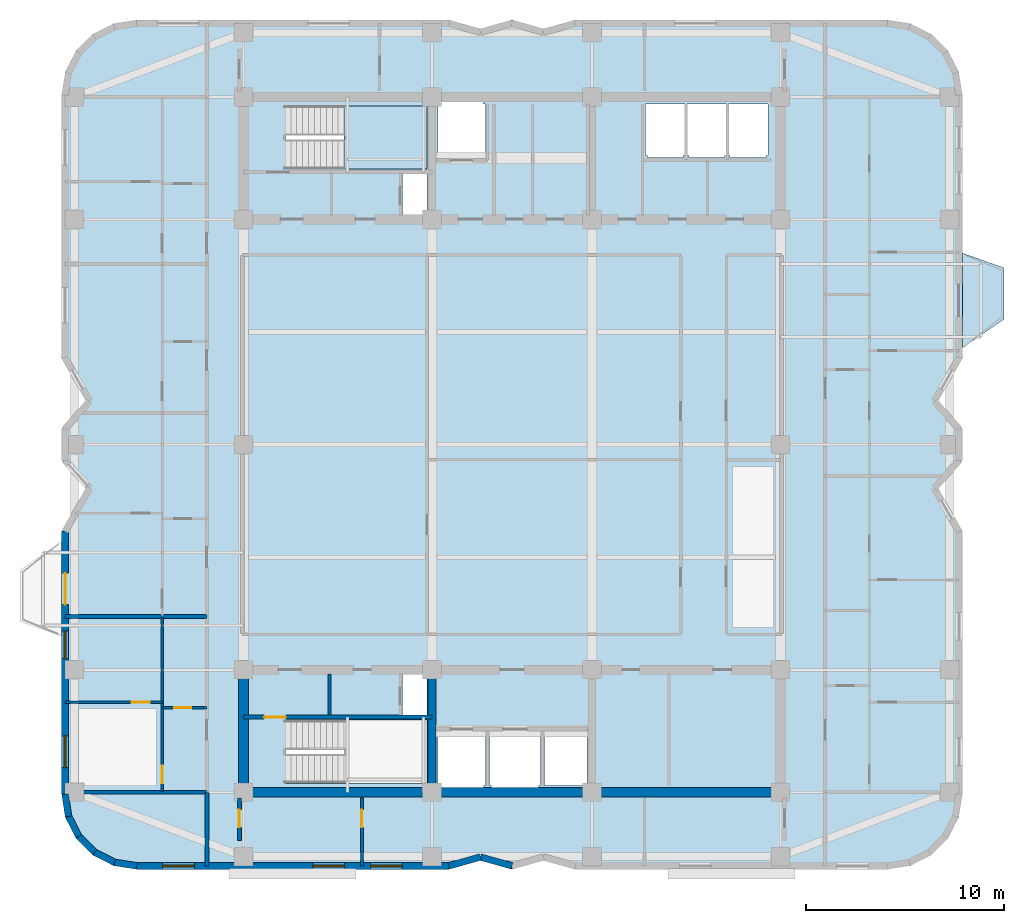
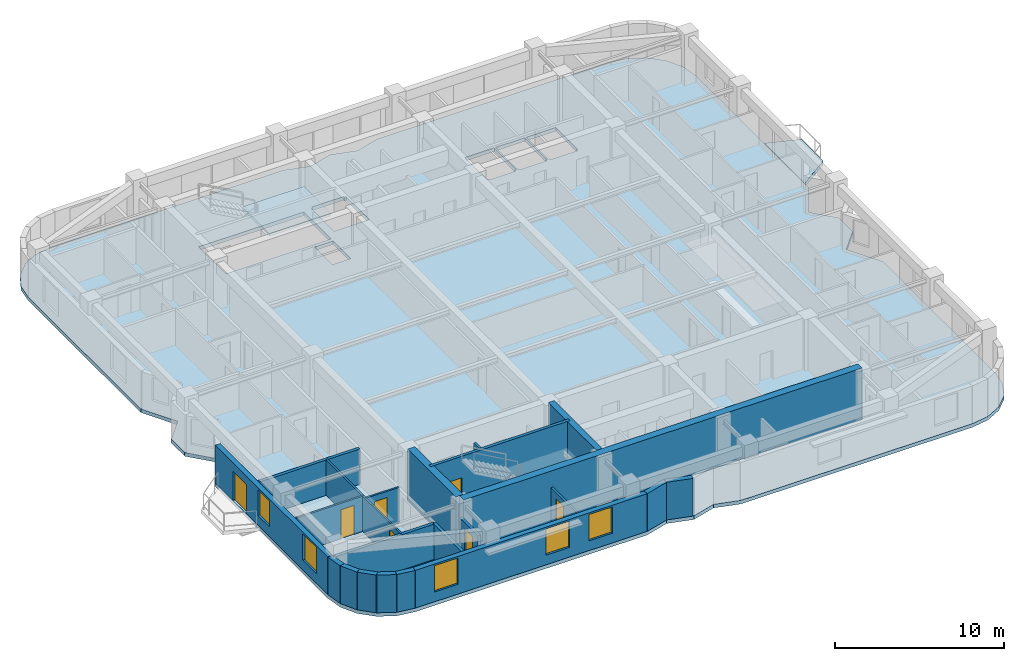
# One storey, part 2 of 9: 22 walls, 7 doors, 5 windows, 3 slabs, 12 openings, 1 element without a shape of its own.
"""IFC4 building model written with IfcOpenShell, lengths in metres."""

from ifc_helpers import new_model, si_unit, direction, frame, frame_2d, origin, place, context, subcontext, project, spatial, polyline, rectangle, outline, extrude, material, layer, layer_set, type_object, element, fill, aggregate, save


model = new_model("IFC4")

# Units and contexts
model_context = context("Model", 3, precision=1e-05, world=origin(), true_north=direction((0.0, 1.0)))
body_context = subcontext(model_context, "Body", "Model", "MODEL_VIEW")
ifc_project = project(units=[si_unit("LENGTHUNIT", "METRE"), si_unit("AREAUNIT", "SQUARE_METRE"), si_unit("VOLUMEUNIT", "CUBIC_METRE"), si_unit("PLANEANGLEUNIT", "RADIAN"), si_unit("MASSUNIT", "GRAM", prefix="KILO")], contexts=[model_context])

# Site, building, storey
site_placement = place(None, origin())
site = spatial("IfcSite", under=ifc_project, at=site_placement, CompositionType="ELEMENT")
building_placement = place(site_placement, origin())
building = spatial("IfcBuilding", under=site, at=building_placement, Name="Svetorya Sky Lyceum", CompositionType="ELEMENT")
storey_placement = place(building_placement, frame((0.0, 0.0, 166.300048828125)))
storey = spatial("IfcBuildingStorey", under=building, at=storey_placement, Name="L41", CompositionType="ELEMENT", Elevation=166.300048828125)

# Slab
ifc_material_1 = material(Name="Concrete C40/50", Category="concrete")
ifc_layer_1 = layer(ifc_material_1, 0.260009765625)
ifc_layer_set_1 = layer_set([ifc_layer_1], Name="Concrete C40/50")
slab_type_1 = type_object("IfcSlabType", Name="SL-BAL-260", PredefinedType="FLOOR", material=ifc_layer_set_1)
slab_1_placement = place(storey_placement, frame((0.0, 0.0, -0.260009765625)))
element("IfcSlab", 1, at=slab_1_placement, inside=storey, type_object=slab_type_1, Name="L41 Chamfered Loggia Balcony BAL-E1", PredefinedType="FLOOR", context=body_context, shape_type="SweptSolid", body=[
    extrude(outline(polyline([(62.010009765625, 33.10009765625), (64.110107421875, 34.550048828125), (64.110107421875, 37.14990234375), (62.010009765625, 37.89990234375), (62.010009765625, 33.10009765625)])), origin(), (0.0, 0.0, 1.0), 0.260009765625),
])

# Stair, slab
stair_type = type_object("IfcStairType", Name="STR-ST-N", PredefinedType="HALF_TURN_STAIR", material=ifc_material_1)
stair_placement = place(storey_placement, origin())
stair = element("IfcStair", 2, at=stair_placement, inside=storey, type_object=stair_type, Name="L41 North Core Smoke-Free Exit Stair N3", PredefinedType="HALF_TURN_STAIR")
ifc_layer_2 = layer(ifc_material_1, 0.199951171875)
ifc_layer_set_2 = layer_set([ifc_layer_2], Name="Concrete C40/50")
slab_type_2 = type_object("IfcSlabType", Name="SL-STR-LAND-200", PredefinedType="LANDING", material=ifc_layer_set_2)
slab_2_placement = place(storey_placement, frame((0.0, 0.0, 1.64990234375)))
slab_2 = element("IfcSlab", 3, at=slab_2_placement, type_object=slab_type_2, Name="ST-N landing 1", PredefinedType="LANDING", context=body_context, shape_type="SweptSolid", body=[
    extrude(outline(polyline([(30.699951171875, 42.14990234375), (34.89990234375, 42.14990234375), (34.89990234375, 45.35009765625), (30.699951171875, 45.35009765625), (30.699951171875, 42.14990234375)])), origin(), (0.0, 0.0, 1.0), 0.199951171875),
])
aggregate(stair, [slab_2])

# Slab
ifc_material_2 = material(Name="Concrete C50/60", Category="concrete")
ifc_layer_3 = layer(ifc_material_2, 0.260009765625)
ifc_layer_set_3 = layer_set([ifc_layer_3], Name="Concrete C50/60")
slab_type_3 = type_object("IfcSlabType", Name="SL-TWR-260", PredefinedType="FLOOR", material=ifc_layer_set_3)
slab_3_placement = place(storey_placement, frame((0.0, 0.0, -0.260009765625)))
element("IfcSlab", 4, at=slab_3_placement, inside=storey, type_object=slab_type_3, Name="L41 Structural Floor Slab", PredefinedType="FLOOR", context=body_context, shape_type="SweptSolid", body=[
    extrude(outline(polyline([(16.39990234375, 10.5), (16.5859375, 9.32568359375), (17.125732421875, 8.266357421875), (17.96630859375, 7.42578125), (19.025634765625, 6.885986328125), (20.199951171875, 6.699951171875), (36.0, 6.699951171875), (37.60009765625, 7.14990234375), (39.199951171875, 6.699951171875), (40.800048828125, 7.14990234375), (42.39990234375, 6.699951171875), (58.199951171875, 6.699951171875), (59.374267578125, 6.885986328125), (60.43359375, 7.42578125), (61.2744140625, 8.266357421875), (61.81396484375, 9.32568359375), (62.0, 10.5), (62.0, 23.800048828125), (60.75, 26.0), (62.0, 27.39990234375), (62.0, 29.0), (60.75, 30.39990234375), (62.0, 32.60009765625), (62.0, 45.89990234375), (61.81396484375, 47.07421875), (61.2744140625, 48.133544921875), (60.43359375, 48.974365234375), (59.374267578125, 49.513916015625), (58.199951171875, 49.699951171875), (42.39990234375, 49.699951171875), (40.800048828125, 49.25), (39.199951171875, 49.699951171875), (37.60009765625, 49.25), (36.0, 49.699951171875), (20.199951171875, 49.699951171875), (19.025634765625, 49.513916015625), (17.96630859375, 48.974365234375), (17.125732421875, 48.133544921875), (16.5859375, 47.07421875), (16.39990234375, 45.89990234375), (16.39990234375, 32.60009765625), (17.64990234375, 30.39990234375), (16.39990234375, 29.0), (16.39990234375, 27.39990234375), (17.64990234375, 26.0), (16.39990234375, 23.800048828125), (16.39990234375, 10.5)]), holes=[polyline([(37.85009765625, 10.949951171875), (37.75, 10.949951171875), (37.75, 10.85009765625), (35.550048828125, 10.85009765625), (35.550048828125, 10.949951171875), (35.449951171875, 10.949951171875), (35.449951171875, 13.64990234375), (35.550048828125, 13.64990234375), (37.75, 13.64990234375), (37.85009765625, 13.64990234375), (37.85009765625, 10.949951171875)]), polyline([(38.14990234375, 10.800048828125), (38.14990234375, 10.949951171875), (38.050048828125, 10.949951171875), (38.050048828125, 13.64990234375), (38.14990234375, 13.64990234375), (38.14990234375, 13.699951171875), (40.550048828125, 13.699951171875), (40.550048828125, 13.64990234375), (40.64990234375, 13.64990234375), (40.64990234375, 10.949951171875), (40.550048828125, 10.949951171875), (40.550048828125, 10.800048828125), (38.14990234375, 10.800048828125)]), polyline([(27.719970703125, 11.050048828125), (27.719970703125, 14.25), (34.89990234375, 14.25), (34.89990234375, 11.050048828125), (27.719970703125, 11.050048828125)]), polyline([(33.64990234375, 14.52001953125), (33.64990234375, 16.580078125), (34.89990234375, 16.580078125), (34.89990234375, 14.52001953125), (33.64990234375, 14.52001953125)]), polyline([(33.64990234375, 39.820068359375), (33.64990234375, 41.89990234375), (34.89990234375, 41.89990234375), (34.89990234375, 39.820068359375), (33.64990234375, 39.820068359375)]), polyline([(27.719970703125, 42.14990234375), (27.719970703125, 45.35009765625), (34.89990234375, 45.35009765625), (34.89990234375, 42.14990234375), (27.719970703125, 42.14990234375)]), polyline([(37.75, 42.75), (35.550048828125, 42.75), (35.449951171875, 42.75), (35.449951171875, 45.449951171875), (35.550048828125, 45.449951171875), (35.550048828125, 45.550048828125), (37.75, 45.550048828125), (37.75, 45.449951171875), (37.85009765625, 45.449951171875), (37.85009765625, 42.75), (37.75, 42.75)]), polyline([(40.85009765625, 10.949951171875), (40.85009765625, 13.64990234375), (43.0, 13.64990234375), (43.0, 10.949951171875), (40.85009765625, 10.949951171875)]), polyline([(46.050048828125, 42.75), (46.050048828125, 42.85009765625), (45.949951171875, 42.85009765625), (45.949951171875, 45.449951171875), (46.050048828125, 45.449951171875), (47.85009765625, 45.449951171875), (47.949951171875, 45.449951171875), (47.949951171875, 42.85009765625), (47.85009765625, 42.85009765625), (47.85009765625, 42.75), (46.050048828125, 42.75)]), polyline([(50.050048828125, 42.85009765625), (49.949951171875, 42.85009765625), (49.949951171875, 42.75), (48.14990234375, 42.75), (48.14990234375, 42.85009765625), (48.050048828125, 42.85009765625), (48.050048828125, 45.449951171875), (48.14990234375, 45.449951171875), (49.949951171875, 45.449951171875), (50.050048828125, 45.449951171875), (50.050048828125, 42.85009765625)]), polyline([(52.14990234375, 42.85009765625), (52.050048828125, 42.85009765625), (52.050048828125, 42.75), (50.25, 42.75), (50.25, 42.85009765625), (50.14990234375, 42.85009765625), (50.14990234375, 45.449951171875), (50.25, 45.449951171875), (52.050048828125, 45.449951171875), (52.14990234375, 45.449951171875), (52.14990234375, 42.85009765625)])]), origin(), (0.0, 0.0, 1.0), 0.260009765625),
])

# Walls
ifc_layer_4 = layer(ifc_material_1, 0.39990234375)
ifc_layer_set_4 = layer_set([ifc_layer_4], Name="Concrete C40/50")
wall_type_1 = type_object("IfcWallType", Name="WL-CORE-400", PredefinedType="SHEAR", material=ifc_layer_set_4)
wall_1_placement = place(storey_placement, frame((35.14990234375, 10.85009765625, 0.0), z_axis=(0.0, 0.0, 1.0), x_axis=(0.0, 1.0, 0.0)))
element("IfcWall", 5, at=wall_1_placement, inside=storey, type_object=wall_type_1, Name="L41 SC Internal Shear Web WEB1", PredefinedType="SHEAR", context=body_context, shape_type="SweptSolid", body=[
    extrude(rectangle(XDim=5.699951171875, YDim=0.39990234375, at=frame_2d((2.85009765625, 0.0))), origin(), (0.0, 0.0, 1.0), 3.699951171875),
])
ifc_layer_5 = layer(ifc_material_2, 0.5)
ifc_layer_set_5 = layer_set([ifc_layer_5], Name="Concrete C50/60")
wall_type_2 = type_object("IfcWallType", Name="WL-CORE-500", PredefinedType="SHEAR", material=ifc_layer_set_5)
wall_2_placement = place(storey_placement, frame((52.800048828125, 10.60009765625, 0.0), z_axis=(0.0, 0.0, 1.0), x_axis=(-1.0, 0.0, 0.0)))
element("IfcWall", 6, at=wall_2_placement, inside=storey, type_object=wall_type_2, Name="L41 SC Outer Core Shear Wall", PredefinedType="SHEAR", context=body_context, shape_type="SweptSolid", body=[
    extrude(rectangle(XDim=27.199951171875, YDim=0.5, at=frame_2d((13.60009765625, 0.0))), origin(), (0.0, 0.0, 1.0), 3.699951171875),
])
wall_3_placement = place(storey_placement, frame((25.60009765625, 10.85009765625, 0.0), z_axis=(0.0, 0.0, 1.0), x_axis=(0.0, 1.0, 0.0)))
element("IfcWall", 7, at=wall_3_placement, inside=storey, type_object=wall_type_2, Name="L41 SC West Core Shear Wall", PredefinedType="SHEAR", context=body_context, shape_type="SweptSolid", body=[
    extrude(rectangle(XDim=5.699951171875, YDim=0.5, at=frame_2d((2.85009765625, 0.0))), origin(), (0.0, 0.0, 1.0), 3.699951171875),
])
ifc_material_3 = material(Name="Putilovo limestone rainscreen on autoclaved cellular masonry", Category="masonry")
ifc_layer_6 = layer(ifc_material_3, 0.340087890625)
ifc_layer_set_6 = layer_set([ifc_layer_6], Name="Putilovo limestone rainscreen on autoclaved cellular masonry")
wall_type_3 = type_object("IfcWallType", Name="WL-EXT-340", PredefinedType="SOLIDWALL", material=ifc_layer_set_6)
wall_4_placement = place(storey_placement, frame((16.570068359375, 10.5, 0.0), z_axis=(0.0, 0.0, 1.0), x_axis=(0.156514556949, -0.987675651954, 0.0)))
element("IfcWall", 8, at=wall_4_placement, inside=storey, type_object=wall_type_3, Name="L41 Limestone Exterior Wall 1M", PredefinedType="SOLIDWALL", context=body_context, shape_type="SweptSolid", body=[
    extrude(rectangle(XDim=1.135498046875, YDim=0.340087890625, at=frame_2d((0.56787109375, 0.0))), origin(), (0.0, 0.0, 1.0), 2.719970703125),
])
for number, where, z_axis, x_axis, name in (
    (9, (16.747802734375, 9.37841796875, 0.0), (0.0, 0.0, 1.0), (0.45373580117, -0.891136253744, 0.0), "L41 Limestone Exterior Wall 2M"),
    (10, (17.26318359375, 8.3662109375, 0.0), (0.0, 0.0, 1.0), (0.707214252388, -0.706999293649, 0.0), "L41 Limestone Exterior Wall 3M"),
    (11, (18.06640625, 7.563232421875, 0.0), (0.0, 0.0, 1.0), (0.891005044957, -0.453993402883, 0.0), "L41 Limestone Exterior Wall 4M"),
):
    element("IfcWall", number, at=place(storey_placement, frame(where, z_axis=z_axis, x_axis=x_axis)), inside=storey, type_object=wall_type_3, Name=name, PredefinedType="SOLIDWALL", context=body_context, shape_type="SweptSolid", body=[
        extrude(rectangle(XDim=1.1357421875, YDim=0.340087890625, at=frame_2d((0.56787109375, 0.0))), origin(), (0.0, 0.0, 1.0), 2.719970703125),
    ])
wall_5_placement = place(storey_placement, frame((19.078369140625, 7.047607421875, 0.0), z_axis=(0.0, 0.0, 1.0), x_axis=(0.987708865555, -0.156304820474, 0.0)))
element("IfcWall", 12, at=wall_5_placement, inside=storey, type_object=wall_type_3, Name="L41 Limestone Exterior Wall 5M", PredefinedType="SOLIDWALL", context=body_context, shape_type="SweptSolid", body=[
    extrude(rectangle(XDim=1.135498046875, YDim=0.340087890625, at=frame_2d((0.56787109375, 0.0))), origin(), (0.0, 0.0, 1.0), 2.719970703125),
])

# Wall, openings, windows
wall_6_placement = place(storey_placement, frame((20.199951171875, 6.8701171875, 0.0), z_axis=(0.0, 0.0, 1.0), x_axis=(1.0, 0.0, 0.0)))
wall_6 = element("IfcWall", 13, at=wall_6_placement, inside=storey, type_object=wall_type_3, Name="L41 Limestone Exterior Wall 6M", PredefinedType="SOLIDWALL", context=body_context, shape_type="SweptSolid", body=[
    extrude(rectangle(XDim=15.800048828125, YDim=0.340087890625, at=frame_2d((7.89990234375, 0.0))), origin(), (0.0, 0.0, 1.0), 2.719970703125),
])
opening_1_placement = place(wall_6_placement, frame((1.3125, 0.0, 0.699951171875)))
opening_1 = element("IfcOpeningElement", 14, at=opening_1_placement, cuts=wall_6, Name="Opening W-R4", PredefinedType="OPENING", context=body_context, shape_type="SweptSolid", body=[
    extrude(rectangle(XDim=1.60009765625, YDim=1.89990234375, at=frame_2d((0.800048828125, 0.949951171875))), frame((0.0, 0.179931640625, 0.0), z_axis=(0.0, -1.0, 0.0), x_axis=(1.0, 0.0, 0.0)), (0.0, 0.0, 1.0), 0.360107421875),
])
opening_2_placement = place(wall_6_placement, frame((8.91259765625, 0.0, 0.699951171875)))
opening_2 = element("IfcOpeningElement", 15, at=opening_2_placement, cuts=wall_6, Name="Opening W-R4", PredefinedType="OPENING", context=body_context, shape_type="SweptSolid", body=[
    extrude(rectangle(XDim=1.60009765625, YDim=1.89990234375, at=frame_2d((0.800048828125, 0.949951171875))), frame((0.0, 0.179931640625, 0.0), z_axis=(0.0, -1.0, 0.0), x_axis=(1.0, 0.0, 0.0)), (0.0, 0.0, 1.0), 0.360107421875),
])
opening_3_placement = place(wall_6_placement, frame((11.83740234375, 0.0, 0.699951171875)))
opening_3 = element("IfcOpeningElement", 16, at=opening_3_placement, cuts=wall_6, Name="Opening W-R4", PredefinedType="OPENING", context=body_context, shape_type="SweptSolid", body=[
    extrude(rectangle(XDim=1.60009765625, YDim=1.89990234375, at=frame_2d((0.800048828125, 0.949951171875))), frame((0.0, 0.179931640625, 0.0), z_axis=(0.0, -1.0, 0.0), x_axis=(1.0, 0.0, 0.0)), (0.0, 0.0, 1.0), 0.360107421875),
])
ifc_material_4 = material(Name="Thermally broken aluminium frame with triple low-E glazing", Category="aluminium")
window_type_1 = type_object("IfcWindowType", Name="WN-RES-160", PartitioningType="DOUBLE_PANEL_VERTICAL", PredefinedType="WINDOW", material=ifc_material_4)
window_1_placement = place(opening_1_placement, origin())
window_1 = element("IfcWindow", 17, at=window_1_placement, inside=storey, type_object=window_type_1, Name="L41 Facade Window W-R4.6M.1", OverallHeight=1.89990234375, OverallWidth=1.60009765625, PartitioningType="SINGLE_PANEL", PredefinedType="WINDOW", context=body_context, shape_type="SweptSolid", body=[
    extrude(rectangle(XDim=1.60009765625, YDim=1.89990234375, at=frame_2d((0.800048828125, 0.949951171875))), frame((0.0, 0.030029296875, 0.0), z_axis=(0.0, -1.0, 0.0), x_axis=(1.0, 0.0, 0.0)), (0.0, 0.0, 1.0), 0.06005859375),
])
fill(opening_1, window_1)
window_2_placement = place(opening_2_placement, origin())
window_2 = element("IfcWindow", 18, at=window_2_placement, inside=storey, type_object=window_type_1, Name="L41 Facade Window W-R4.6M.2", OverallHeight=1.89990234375, OverallWidth=1.60009765625, PartitioningType="SINGLE_PANEL", PredefinedType="WINDOW", context=body_context, shape_type="SweptSolid", body=[
    extrude(rectangle(XDim=1.60009765625, YDim=1.89990234375, at=frame_2d((0.800048828125, 0.949951171875))), frame((0.0, 0.030029296875, 0.0), z_axis=(0.0, -1.0, 0.0), x_axis=(1.0, 0.0, 0.0)), (0.0, 0.0, 1.0), 0.06005859375),
])
fill(opening_2, window_2)
window_3_placement = place(opening_3_placement, origin())
window_3 = element("IfcWindow", 19, at=window_3_placement, inside=storey, type_object=window_type_1, Name="L41 Facade Window W-R4.6M.3", OverallHeight=1.89990234375, OverallWidth=1.60009765625, PartitioningType="SINGLE_PANEL", PredefinedType="WINDOW", context=body_context, shape_type="SweptSolid", body=[
    extrude(rectangle(XDim=1.60009765625, YDim=1.89990234375, at=frame_2d((0.800048828125, 0.949951171875))), frame((0.0, 0.030029296875, 0.0), z_axis=(0.0, -1.0, 0.0), x_axis=(1.0, 0.0, 0.0)), (0.0, 0.0, 1.0), 0.06005859375),
])
fill(opening_3, window_3)

# Walls
wall_7_placement = place(storey_placement, frame((36.0, 6.8701171875, 0.0), z_axis=(0.0, 0.0, 1.0), x_axis=(0.962662902433, 0.270703040766, 0.0)))
element("IfcWall", 20, at=wall_7_placement, inside=storey, type_object=wall_type_3, Name="L41 Limestone Exterior Wall 7M", PredefinedType="SOLIDWALL", context=body_context, shape_type="SweptSolid", body=[
    extrude(rectangle(XDim=1.662109375, YDim=0.340087890625, at=frame_2d((0.8310546875, 0.0))), origin(), (0.0, 0.0, 1.0), 2.719970703125),
])
wall_8_placement = place(storey_placement, frame((37.60009765625, 7.320068359375, 0.0), z_axis=(0.0, 0.0, 1.0), x_axis=(0.962652136636, -0.270741322725, 0.0)))
element("IfcWall", 21, at=wall_8_placement, inside=storey, type_object=wall_type_3, Name="L41 Limestone Exterior Wall 8M", PredefinedType="SOLIDWALL", context=body_context, shape_type="SweptSolid", body=[
    extrude(rectangle(XDim=1.661865234375, YDim=0.340087890625, at=frame_2d((0.8310546875, 0.0))), origin(), (0.0, 0.0, 1.0), 2.719970703125),
])

# Wall, openings, door, windows
wall_9_placement = place(storey_placement, frame((16.570068359375, 23.800048828125, 0.0), z_axis=(0.0, 0.0, 1.0), x_axis=(0.0, -1.0, 0.0)))
wall_9 = element("IfcWall", 22, at=wall_9_placement, inside=storey, type_object=wall_type_3, Name="L41 Limestone Exterior Wall 46M", PredefinedType="SOLIDWALL", context=body_context, shape_type="SweptSolid", body=[
    extrude(rectangle(XDim=13.300048828125, YDim=0.340087890625, at=frame_2d((6.64990234375, 0.0))), origin(), (0.0, 0.0, 1.0), 2.719970703125),
])
opening_4_placement = place(wall_9_placement, frame((2.10009765625, 0.0, 0.0)))
opening_4 = element("IfcOpeningElement", 23, at=opening_4_placement, cuts=wall_9, Name="Opening D-BL1", PredefinedType="OPENING", context=body_context, shape_type="SweptSolid", body=[
    extrude(rectangle(XDim=1.60009765625, YDim=2.10009765625, at=frame_2d((0.800048828125, 1.050048828125))), frame((0.0, 0.179931640625, 0.0), z_axis=(0.0, -1.0, 0.0), x_axis=(1.0, 0.0, 0.0)), (0.0, 0.0, 1.0), 0.360107421875),
])
opening_5_placement = place(wall_9_placement, frame((5.0400390625, 0.0, 0.7099609375)))
opening_5 = element("IfcOpeningElement", 24, at=opening_5_placement, cuts=wall_9, Name="Opening W-R2", PredefinedType="OPENING", context=body_context, shape_type="SweptSolid", body=[
    extrude(rectangle(XDim=1.39990234375, YDim=1.85009765625, at=frame_2d((0.699951171875, 0.925048828125))), frame((0.0, 0.179931640625, 0.0), z_axis=(0.0, -1.0, 0.0), x_axis=(1.0, 0.0, 0.0)), (0.0, 0.0, 1.0), 0.360107421875),
])
opening_6_placement = place(wall_9_placement, frame((10.35009765625, 0.0, 0.699951171875)))
opening_6 = element("IfcOpeningElement", 25, at=opening_6_placement, cuts=wall_9, Name="Opening W-R4", PredefinedType="OPENING", context=body_context, shape_type="SweptSolid", body=[
    extrude(rectangle(XDim=1.60009765625, YDim=1.89990234375, at=frame_2d((0.800048828125, 0.949951171875))), frame((0.0, 0.179931640625, 0.0), z_axis=(0.0, -1.0, 0.0), x_axis=(1.0, 0.0, 0.0)), (0.0, 0.0, 1.0), 0.360107421875),
])
ifc_material_5 = material(Name="Insulated glazed aluminium balcony door", Category="aluminium")
door_type_1 = type_object("IfcDoorType", Name="DR-BAL-1600", OperationType="DOUBLE_DOOR_SINGLE_SWING", PredefinedType="DOOR", material=ifc_material_5)
door_1_placement = place(opening_4_placement, origin())
door_1 = element("IfcDoor", 26, at=door_1_placement, inside=storey, type_object=door_type_1, Name="L41 Balcony BAL-W1 Door", OperationType="DOUBLE_DOOR_SINGLE_SWING", OverallHeight=2.10009765625, OverallWidth=1.60009765625, PredefinedType="DOOR", context=body_context, shape_type="SweptSolid", body=[
    extrude(rectangle(XDim=1.60009765625, YDim=2.10009765625, at=frame_2d((0.800048828125, 1.050048828125))), frame((0.0, 0.02490234375, 0.0), z_axis=(0.0, -1.0, 0.0), x_axis=(1.0, 0.0, 0.0)), (0.0, 0.0, 1.0), 0.050048828125),
])
fill(opening_4, door_1)
window_type_2 = type_object("IfcWindowType", Name="WN-RES-140", PartitioningType="SINGLE_PANEL", PredefinedType="WINDOW", material=ifc_material_4)
window_4_placement = place(opening_5_placement, origin())
window_4 = element("IfcWindow", 27, at=window_4_placement, inside=storey, type_object=window_type_2, Name="L41 Facade Window W-R2.46M.2", OverallHeight=1.85009765625, OverallWidth=1.39990234375, PartitioningType="SINGLE_PANEL", PredefinedType="WINDOW", context=body_context, shape_type="SweptSolid", body=[
    extrude(rectangle(XDim=1.39990234375, YDim=1.85009765625, at=frame_2d((0.699951171875, 0.925048828125))), frame((0.0, 0.030029296875, 0.0), z_axis=(0.0, -1.0, 0.0), x_axis=(1.0, 0.0, 0.0)), (0.0, 0.0, 1.0), 0.06005859375),
])
fill(opening_5, window_4)
window_5_placement = place(opening_6_placement, origin())
window_5 = element("IfcWindow", 28, at=window_5_placement, inside=storey, type_object=window_type_1, Name="L41 Facade Window W-R4.46M.1", OverallHeight=1.89990234375, OverallWidth=1.60009765625, PartitioningType="SINGLE_PANEL", PredefinedType="WINDOW", context=body_context, shape_type="SweptSolid", body=[
    extrude(rectangle(XDim=1.60009765625, YDim=1.89990234375, at=frame_2d((0.800048828125, 0.949951171875))), frame((0.0, 0.030029296875, 0.0), z_axis=(0.0, -1.0, 0.0), x_axis=(1.0, 0.0, 0.0)), (0.0, 0.0, 1.0), 0.06005859375),
])
fill(opening_6, window_5)

# Wall, opening, door
ifc_material_6 = material(Name="Twin-stud galvanized framing with double fireboard", Category="gypsum")
ifc_layer_7 = layer(ifc_material_6, 0.1201171875)
ifc_layer_set_7 = layer_set([ifc_layer_7], Name="Twin-stud galvanized framing with double fireboard")
wall_type_4 = type_object("IfcWallType", Name="WL-PART-120", PredefinedType="PARTITIONING", material=ifc_layer_set_7)
wall_10_placement = place(storey_placement, frame((21.5, 14.8701171875, 0.0), z_axis=(0.0, 0.0, 1.0), x_axis=(1.0, 0.0, 0.0)))
wall_10 = element("IfcWall", 29, at=wall_10_placement, inside=storey, type_object=wall_type_4, Name="L41 Interior Partition W1-WH1", PredefinedType="PARTITIONING", context=body_context, shape_type="SweptSolid", body=[
    extrude(rectangle(XDim=2.25, YDim=0.1201171875, at=frame_2d((1.125, 0.0))), origin(), (0.0, 0.0, 1.0), 2.550048828125),
])
opening_7_placement = place(wall_10_placement, frame((0.60009765625, 0.0, 0.0)))
opening_7 = element("IfcOpeningElement", 30, at=opening_7_placement, cuts=wall_10, Name="Opening D-BT1", PredefinedType="OPENING", context=body_context, shape_type="SweptSolid", body=[
    extrude(rectangle(XDim=0.85009765625, YDim=2.10009765625, at=frame_2d((0.425048828125, 1.050048828125))), frame((0.0, 0.070068359375, 0.0), z_axis=(0.0, -1.0, 0.0), x_axis=(1.0, 0.0, 0.0)), (0.0, 0.0, 1.0), 0.14013671875),
])
ifc_material_7 = material(Name="Moisture-resistant laminate bathroom door")
door_type_2 = type_object("IfcDoorType", Name="DR-WET-850", OperationType="SINGLE_SWING_LEFT", PredefinedType="DOOR", material=ifc_material_7)
door_2_placement = place(opening_7_placement, origin())
door_2 = element("IfcDoor", 31, at=door_2_placement, inside=storey, type_object=door_type_2, Name="Apartment W1 Bathroom Door", OperationType="SINGLE_SWING_LEFT", OverallHeight=2.10009765625, OverallWidth=0.85009765625, PredefinedType="DOOR", context=body_context, shape_type="SweptSolid", body=[
    extrude(rectangle(XDim=0.85009765625, YDim=2.10009765625, at=frame_2d((0.425048828125, 1.050048828125))), frame((0.0, 0.02490234375, 0.0), z_axis=(0.0, -1.0, 0.0), x_axis=(1.0, 0.0, 0.0)), (0.0, 0.0, 1.0), 0.050048828125),
])
fill(opening_7, door_2)

wall_11_placement = place(storey_placement, frame((16.570068359375, 15.14990234375, 0.0), z_axis=(0.0, 0.0, 1.0), x_axis=(1.0, 0.0, 0.0)))
wall_11 = element("IfcWall", 32, at=wall_11_placement, inside=storey, type_object=wall_type_4, Name="L41 Interior Partition W1-WL1", PredefinedType="PARTITIONING", context=body_context, shape_type="SweptSolid", body=[
    extrude(rectangle(XDim=4.929931640625, YDim=0.1201171875, at=frame_2d((2.46484375, 0.0))), origin(), (0.0, 0.0, 1.0), 2.550048828125),
])
opening_8_placement = place(wall_11_placement, frame((3.3798828125, 0.0, 0.0)))
opening_8 = element("IfcOpeningElement", 33, at=opening_8_placement, cuts=wall_11, Name="Opening D-RM1", PredefinedType="OPENING", context=body_context, shape_type="SweptSolid", body=[
    extrude(rectangle(XDim=0.89990234375, YDim=2.10009765625, at=frame_2d((0.449951171875, 1.050048828125))), frame((0.0, 0.070068359375, 0.0), z_axis=(0.0, -1.0, 0.0), x_axis=(1.0, 0.0, 0.0)), (0.0, 0.0, 1.0), 0.14013671875),
])
ifc_material_8 = material(Name="Lacquered birch veneer internal door")
door_type_3 = type_object("IfcDoorType", Name="DR-INT-900", OperationType="SINGLE_SWING_LEFT", PredefinedType="DOOR", material=ifc_material_8)
door_3_placement = place(opening_8_placement, origin())
door_3 = element("IfcDoor", 34, at=door_3_placement, inside=storey, type_object=door_type_3, Name="Apartment W1 Bedroom 1 Door", OperationType="SINGLE_SWING_LEFT", OverallHeight=2.10009765625, OverallWidth=0.89990234375, PredefinedType="DOOR", context=body_context, shape_type="SweptSolid", body=[
    extrude(rectangle(XDim=0.89990234375, YDim=2.10009765625, at=frame_2d((0.449951171875, 1.050048828125))), frame((0.0, 0.02490234375, 0.0), z_axis=(0.0, -1.0, 0.0), x_axis=(1.0, 0.0, 0.0)), (0.0, 0.0, 1.0), 0.050048828125),
])
fill(opening_8, door_3)

wall_12_placement = place(storey_placement, frame((21.5, 10.639892578125, 0.0), z_axis=(0.0, 0.0, 1.0), x_axis=(0.0, 1.0, 0.0)))
wall_12 = element("IfcWall", 35, at=wall_12_placement, inside=storey, type_object=wall_type_4, Name="L41 Interior Partition W1-WV", PredefinedType="PARTITIONING", context=body_context, shape_type="SweptSolid", body=[
    extrude(rectangle(XDim=8.820068359375, YDim=0.1201171875, at=frame_2d((4.41015625, 0.0))), origin(), (0.0, 0.0, 1.0), 2.550048828125),
])
opening_9_placement = place(wall_12_placement, frame((0.409912109375, 0.0, 0.0)))
opening_9 = element("IfcOpeningElement", 36, at=opening_9_placement, cuts=wall_12, Name="Opening D-RM1", PredefinedType="OPENING", context=body_context, shape_type="SweptSolid", body=[
    extrude(rectangle(XDim=0.89990234375, YDim=2.10009765625, at=frame_2d((0.449951171875, 1.050048828125))), frame((0.0, 0.070068359375, 0.0), z_axis=(0.0, -1.0, 0.0), x_axis=(1.0, 0.0, 0.0)), (0.0, 0.0, 1.0), 0.14013671875),
])
door_4_placement = place(opening_9_placement, origin())
door_4 = element("IfcDoor", 37, at=door_4_placement, inside=storey, type_object=door_type_3, Name="Apartment W1 Living Door", OperationType="SINGLE_SWING_RIGHT", OverallHeight=2.10009765625, OverallWidth=0.89990234375, PredefinedType="DOOR", context=body_context, shape_type="SweptSolid", body=[
    extrude(rectangle(XDim=0.89990234375, YDim=2.10009765625, at=frame_2d((0.449951171875, 1.050048828125))), frame((0.0, 0.02490234375, 0.0), z_axis=(0.0, -1.0, 0.0), x_axis=(1.0, 0.0, 0.0)), (0.0, 0.0, 1.0), 0.050048828125),
])
fill(opening_9, door_4)

# Wall
ifc_material_9 = material(Name="Autoclaved cellular masonry blockwork with acoustic render", Category="masonry")
ifc_layer_8 = layer(ifc_material_9, 0.14990234375)
ifc_layer_set_8 = layer_set([ifc_layer_8], Name="Autoclaved cellular masonry blockwork with acoustic render")
wall_type_5 = type_object("IfcWallType", Name="WL-PART-150", PredefinedType="PARTITIONING", material=ifc_layer_set_8)
wall_13_placement = place(storey_placement, frame((29.949951171875, 14.5, 0.0), z_axis=(0.0, 0.0, 1.0), x_axis=(0.0, 1.0, 0.0)))
element("IfcWall", 38, at=wall_13_placement, inside=storey, type_object=wall_type_5, Name="L41 Interior Partition SC-SWD1", PredefinedType="PARTITIONING", context=body_context, shape_type="SweptSolid", body=[
    extrude(rectangle(XDim=2.080078125, YDim=0.14990234375, at=frame_2d((1.0400390625, 0.0))), origin(), (0.0, 0.0, 1.0), 2.550048828125),
])

# Wall, opening, door
wall_14_placement = place(storey_placement, frame((31.60009765625, 6.8701171875, 0.0), z_axis=(0.0, 0.0, 1.0), x_axis=(0.0, 1.0, 0.0)))
wall_14 = element("IfcWall", 39, at=wall_14_placement, inside=storey, type_object=wall_type_5, Name="L41 Interior Partition S-D1", PredefinedType="PARTITIONING", context=body_context, shape_type="SweptSolid", body=[
    extrude(rectangle(XDim=3.429931640625, YDim=0.14990234375, at=frame_2d((1.71484375, 0.0))), origin(), (0.0, 0.0, 1.0), 2.550048828125),
])
opening_10_placement = place(wall_14_placement, frame((1.949951171875, 0.0, 0.0)))
opening_10 = element("IfcOpeningElement", 40, at=opening_10_placement, cuts=wall_14, Name="Opening D-RM1", PredefinedType="OPENING", context=body_context, shape_type="SweptSolid", body=[
    extrude(rectangle(XDim=0.89990234375, YDim=2.10009765625, at=frame_2d((0.449951171875, 1.050048828125))), frame((0.0, 0.0849609375, 0.0), z_axis=(0.0, -1.0, 0.0), x_axis=(1.0, 0.0, 0.0)), (0.0, 0.0, 1.0), 0.169921875),
])
door_5_placement = place(opening_10_placement, origin())
door_5 = element("IfcDoor", 41, at=door_5_placement, inside=storey, type_object=door_type_3, Name="L41 South Store Door", OperationType="SINGLE_SWING_LEFT", OverallHeight=2.10009765625, OverallWidth=0.89990234375, PredefinedType="DOOR", context=body_context, shape_type="SweptSolid", body=[
    extrude(rectangle(XDim=0.89990234375, YDim=2.10009765625, at=frame_2d((0.449951171875, 1.050048828125))), frame((0.0, 0.02490234375, 0.0), z_axis=(0.0, -1.0, 0.0), x_axis=(1.0, 0.0, 0.0)), (0.0, 0.0, 1.0), 0.050048828125),
])
fill(opening_10, door_5)

# Walls
ifc_material_10 = material(Name="Autoclaved cellular masonry blockwork with gypsum plaster", Category="masonry")
ifc_layer_9 = layer(ifc_material_10, 0.199951171875)
ifc_layer_set_9 = layer_set([ifc_layer_9], Name="Autoclaved cellular masonry blockwork with gypsum plaster")
wall_type_6 = type_object("IfcWallType", Name="WL-PART-200", PredefinedType="PARTITIONING", material=ifc_layer_set_9)
wall_15_placement = place(storey_placement, frame((16.570068359375, 19.5, 0.0), z_axis=(0.0, 0.0, 1.0), x_axis=(1.0, 0.0, 0.0)))
element("IfcWall", 42, at=wall_15_placement, inside=storey, type_object=wall_type_6, Name="L41 Interior Partition W-PARTY-1", PredefinedType="PARTITIONING", context=body_context, shape_type="SweptSolid", body=[
    extrude(rectangle(XDim=7.179931640625, YDim=0.199951171875, at=frame_2d((3.58984375, 0.0))), origin(), (0.0, 0.0, 1.0), 2.550048828125),
])
wall_16_placement = place(storey_placement, frame((16.989990234375, 10.60009765625, 0.0), z_axis=(0.0, 0.0, 1.0), x_axis=(1.0, 0.0, 0.0)))
element("IfcWall", 43, at=wall_16_placement, inside=storey, type_object=wall_type_6, Name="L41 Interior Partition W-CAP-S", PredefinedType="PARTITIONING", context=body_context, shape_type="SweptSolid", body=[
    extrude(rectangle(XDim=6.760009765625, YDim=0.199951171875, at=frame_2d((3.3798828125, 0.0))), origin(), (0.0, 0.0, 1.0), 2.550048828125),
])
wall_17_placement = place(storey_placement, frame((23.75, 6.8701171875, 0.0), z_axis=(0.0, 0.0, 1.0), x_axis=(0.0, 1.0, 0.0)))
element("IfcWall", 44, at=wall_17_placement, inside=storey, type_object=wall_type_6, Name="L41 Interior Partition WC-SW-END", PredefinedType="PARTITIONING", context=body_context, shape_type="SweptSolid", body=[
    extrude(rectangle(XDim=3.72998046875, YDim=0.199951171875, at=frame_2d((1.864990234375, 0.0))), origin(), (0.0, 0.0, 1.0), 2.550048828125),
])

# Wall, opening, door
wall_18_placement = place(storey_placement, frame((25.39990234375, 8.169921875, 0.0), z_axis=(0.0, 0.0, 1.0), x_axis=(0.0, 1.0, 0.0)))
wall_18 = element("IfcWall", 45, at=wall_18_placement, inside=storey, type_object=wall_type_6, Name="L41 Interior Partition S-EW", PredefinedType="PARTITIONING", context=body_context, shape_type="SweptSolid", body=[
    extrude(rectangle(XDim=2.130126953125, YDim=0.199951171875, at=frame_2d((1.06494140625, 0.0))), origin(), (0.0, 0.0, 1.0), 2.550048828125),
])
opening_11_placement = place(wall_18_placement, frame((0.64990234375, 0.0, 0.0)))
opening_11 = element("IfcOpeningElement", 46, at=opening_11_placement, cuts=wall_18, Name="Opening D-RM1", PredefinedType="OPENING", context=body_context, shape_type="SweptSolid", body=[
    extrude(rectangle(XDim=0.89990234375, YDim=2.10009765625, at=frame_2d((0.449951171875, 1.050048828125))), frame((0.0, 0.10986328125, 0.0), z_axis=(0.0, -1.0, 0.0), x_axis=(1.0, 0.0, 0.0)), (0.0, 0.0, 1.0), 0.219970703125),
])
door_6_placement = place(opening_11_placement, origin())
door_6 = element("IfcDoor", 47, at=door_6_placement, inside=storey, type_object=door_type_3, Name="L41 South Study Door", OperationType="SINGLE_SWING_LEFT", OverallHeight=2.10009765625, OverallWidth=0.89990234375, PredefinedType="DOOR", context=body_context, shape_type="SweptSolid", body=[
    extrude(rectangle(XDim=0.89990234375, YDim=2.10009765625, at=frame_2d((0.449951171875, 1.050048828125))), frame((0.0, 0.02490234375, 0.0), z_axis=(0.0, -1.0, 0.0), x_axis=(1.0, 0.0, 0.0)), (0.0, 0.0, 1.0), 0.050048828125),
])
fill(opening_11, door_6)

ifc_layer_10 = layer(ifc_material_2, 0.199951171875)
ifc_layer_set_10 = layer_set([ifc_layer_10], Name="Concrete C50/60")
wall_type_7 = type_object("IfcWallType", Name="WL-SHW-200", PredefinedType="SHEAR", material=ifc_layer_set_10)
wall_19_placement = place(storey_placement, frame((25.60009765625, 14.39990234375, 0.0), z_axis=(0.0, 0.0, 1.0), x_axis=(1.0, 0.0, 0.0)))
wall_19 = element("IfcWall", 48, at=wall_19_placement, inside=storey, type_object=wall_type_7, Name="L41 Structural Stair Shaft Wall SC-STW", PredefinedType="SHEAR", context=body_context, shape_type="SweptSolid", body=[
    extrude(rectangle(XDim=9.5498046875, YDim=0.199951171875, at=frame_2d((4.77490234375, 0.0))), origin(), (0.0, 0.0, 1.0), 3.699951171875),
])
opening_12_placement = place(wall_19_placement, frame((1.050048828125, 0.0, 0.0)))
opening_12 = element("IfcOpeningElement", 49, at=opening_12_placement, cuts=wall_19, Name="Opening D-ST1", PredefinedType="OPENING", context=body_context, shape_type="SweptSolid", body=[
    extrude(rectangle(XDim=1.10009765625, YDim=2.14990234375, at=frame_2d((0.550048828125, 1.074951171875))), frame((0.0, 0.10986328125, 0.0), z_axis=(0.0, -1.0, 0.0), x_axis=(1.0, 0.0, 0.0)), (0.0, 0.0, 1.0), 0.219970703125),
])
ifc_material_11 = material(Name="Powder-coated insulated galvanized stair fire door")
door_type_4 = type_object("IfcDoorType", Name="DR-FIRE-1100", OperationType="SINGLE_SWING_LEFT", PredefinedType="DOOR", material=ifc_material_11)
door_7_placement = place(opening_12_placement, origin())
door_7 = element("IfcDoor", 50, at=door_7_placement, inside=storey, type_object=door_type_4, Name="L41 Stair ST-S Vestibule Fire Door", OperationType="SINGLE_SWING_LEFT", OverallHeight=2.14990234375, OverallWidth=1.10009765625, PredefinedType="DOOR", context=body_context, shape_type="SweptSolid", body=[
    extrude(rectangle(XDim=1.10009765625, YDim=2.14990234375, at=frame_2d((0.550048828125, 1.074951171875))), frame((0.0, 0.02490234375, 0.0), z_axis=(0.0, -1.0, 0.0), x_axis=(1.0, 0.0, 0.0)), (0.0, 0.0, 1.0), 0.050048828125),
])
fill(opening_12, door_7)

save(model, "model.ifc")
